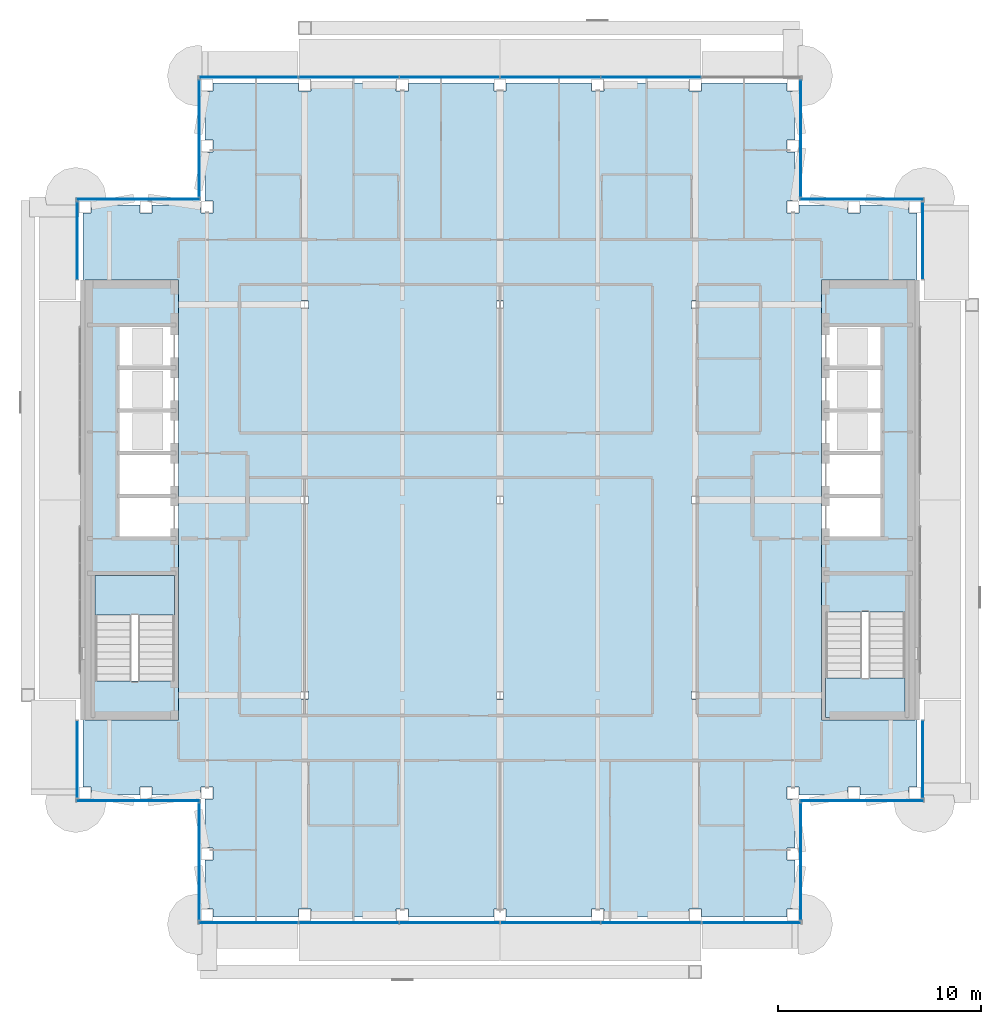
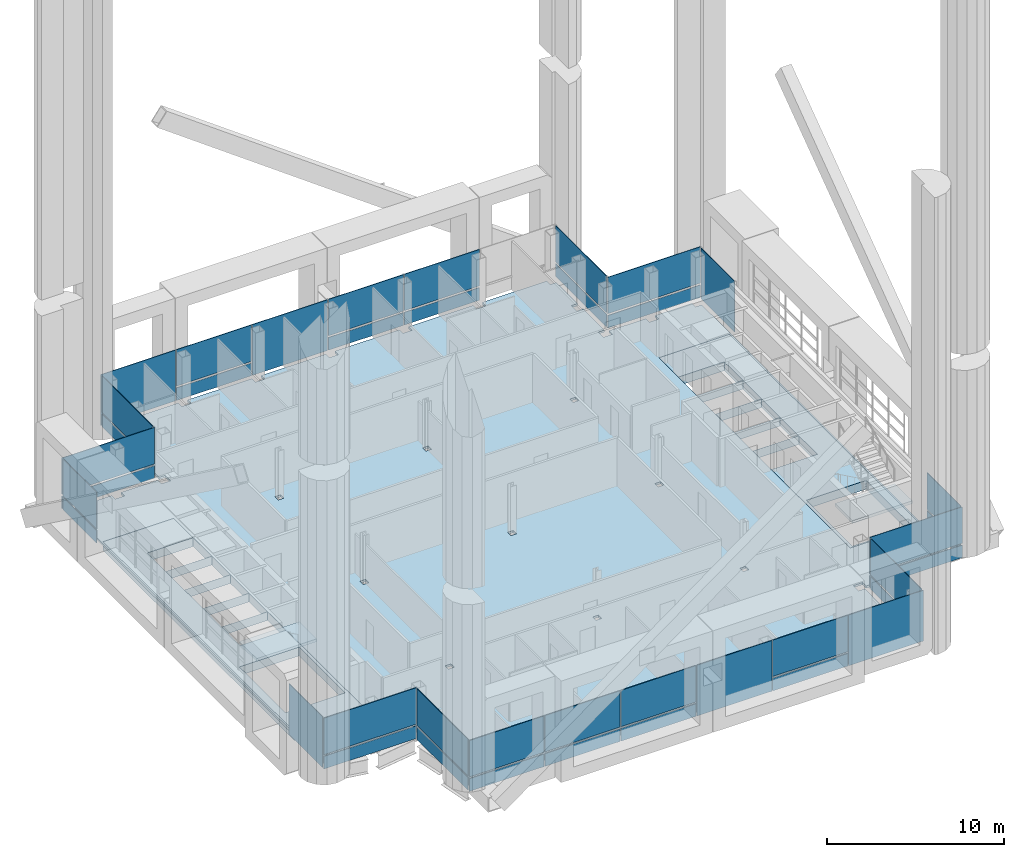
# One storey, part 12 of 29: 40 plates, 5 slabs, 16 elements without a shape of their own.
"""IFC4 building model written with IfcOpenShell, lengths in metres."""

from ifc_helpers import new_model, si_unit, direction, frame, origin, origin_2d, place, context, subcontext, project, spatial, polyline, rectangle, outline, extrude, material, layer, layer_set, type_object, element, aggregate, save


model = new_model("IFC4")

# Units and contexts
model_context = context("Model", 3, precision=1e-05, world=origin(), true_north=direction((0.0, 1.0)))
body_context = subcontext(model_context, "Body", "Model", "MODEL_VIEW")
ifc_project = project(units=[si_unit("LENGTHUNIT", "METRE"), si_unit("AREAUNIT", "SQUARE_METRE"), si_unit("VOLUMEUNIT", "CUBIC_METRE"), si_unit("PLANEANGLEUNIT", "RADIAN"), si_unit("MASSUNIT", "GRAM", prefix="KILO")], contexts=[model_context])

# Site, building, storey
site_placement = place(None, origin())
site = spatial("IfcSite", under=ifc_project, at=site_placement, CompositionType="ELEMENT")
building_placement = place(site_placement, origin())
building = spatial("IfcBuilding", under=site, at=building_placement, Name="Cobrizo Arcos Hotel Tower", CompositionType="ELEMENT")
storey_placement = place(building_placement, frame((0.0, 0.0, 241.0)))
storey = spatial("IfcBuildingStorey", under=building, at=storey_placement, Name="L63", CompositionType="ELEMENT", Elevation=241.0)

# Curtain wall, plates
ifc_material_1 = material(Name="Aluminium 6063-T6 anodised bronze", Category="aluminium")
curtain_wall_type = type_object("IfcCurtainWallType", Name="CW-A guest facade", PredefinedType="NOTDEFINED", material=ifc_material_1)
curtain_wall_1_placement = place(storey_placement, origin())
curtain_wall_1 = element("IfcCurtainWall", 1, at=curtain_wall_1_placement, inside=storey, type_object=curtain_wall_type, Name="CW-A L63 S face", PredefinedType="NOTDEFINED")
ifc_material_2 = material(Name="Glass clear laminated low-e", Category="glass")
ifc_layer_1 = layer(ifc_material_2, 0.0400390625)
ifc_layer_set_1 = layer_set([ifc_layer_1], Name="CW-A glass panel")
plate_type_1 = type_object("IfcPlateType", Name="CW-A glass panel", PredefinedType="CURTAIN_PANEL", material=ifc_layer_set_1)
plate_1_placement = place(storey_placement, frame((-12.360107421875, -20.77490234375, 0.990234375), z_axis=(0.0, 0.0, 1.0), x_axis=(1.0, 0.0, 0.0)))
plate_1 = element("IfcPlate", 2, at=plate_1_placement, type_object=plate_type_1, Name="CW-A glass panel 2012", PredefinedType="CURTAIN_PANEL", context=body_context, shape_type="SweptSolid", body=[
    extrude(rectangle(XDim=4.860107421875, YDim=0.0400390625, at=origin_2d()), origin(), (0.0, 0.0, 1.0), 2.510009765625),
])
plate_2_placement = place(storey_placement, frame((-7.425048828125, -20.77490234375, 0.990234375), z_axis=(0.0, 0.0, 1.0), x_axis=(1.0, 0.0, 0.0)))
plate_2 = element("IfcPlate", 3, at=plate_2_placement, type_object=plate_type_1, Name="CW-A glass panel 2013", PredefinedType="CURTAIN_PANEL", context=body_context, shape_type="SweptSolid", body=[
    extrude(rectangle(XDim=4.889892578125, YDim=0.0400390625, at=origin_2d()), origin(), (0.0, 0.0, 1.0), 2.510009765625),
])
plate_3_placement = place(storey_placement, frame((-2.47509765625, -20.77490234375, 0.990234375), z_axis=(0.0, 0.0, 1.0), x_axis=(1.0, 0.0, 0.0)))
plate_3 = element("IfcPlate", 4, at=plate_3_placement, type_object=plate_type_1, Name="CW-A glass panel 2014", PredefinedType="CURTAIN_PANEL", context=body_context, shape_type="SweptSolid", body=[
    extrude(rectangle(XDim=4.889892578125, YDim=0.0400390625, at=origin_2d()), origin(), (0.0, 0.0, 1.0), 2.510009765625),
])
plate_4_placement = place(storey_placement, frame((7.425048828125, -20.77490234375, 0.990234375), z_axis=(0.0, 0.0, 1.0), x_axis=(1.0, 0.0, 0.0)))
plate_4 = element("IfcPlate", 5, at=plate_4_placement, type_object=plate_type_1, Name="CW-A glass panel 2016", PredefinedType="CURTAIN_PANEL", context=body_context, shape_type="SweptSolid", body=[
    extrude(rectangle(XDim=4.889892578125, YDim=0.0400390625, at=origin_2d()), origin(), (0.0, 0.0, 1.0), 2.510009765625),
])

# Curtain wall, plate
curtain_wall_2_placement = place(storey_placement, origin())
curtain_wall_2 = element("IfcCurtainWall", 6, at=curtain_wall_2_placement, inside=storey, type_object=curtain_wall_type, Name="CW-A L63 E face", PredefinedType="NOTDEFINED")
plate_5_placement = place(storey_placement, frame((14.77490234375, -17.77490234375, 0.990234375), z_axis=(0.0, 0.0, 1.0), x_axis=(0.0, 1.0, 0.0)))
plate_5 = element("IfcPlate", 7, at=plate_5_placement, type_object=plate_type_1, Name="CW-A glass panel 2018", PredefinedType="CURTAIN_PANEL", context=body_context, shape_type="SweptSolid", body=[
    extrude(rectangle(XDim=5.72998046875, YDim=0.0400390625, at=origin_2d()), origin(), (0.0, 0.0, 1.0), 2.510009765625),
])

curtain_wall_3_placement = place(storey_placement, origin())
curtain_wall_3 = element("IfcCurtainWall", 8, at=curtain_wall_3_placement, inside=storey, type_object=curtain_wall_type, Name="CW-A L63 S face", PredefinedType="NOTDEFINED")
plate_6_placement = place(storey_placement, frame((17.77490234375, -14.77490234375, 0.990234375), z_axis=(0.0, 0.0, 1.0), x_axis=(1.0, 0.0, 0.0)))
plate_6 = element("IfcPlate", 9, at=plate_6_placement, type_object=plate_type_1, Name="CW-A glass panel 2019", PredefinedType="CURTAIN_PANEL", context=body_context, shape_type="SweptSolid", body=[
    extrude(rectangle(XDim=6.030029296875, YDim=0.0400390625, at=origin_2d()), origin(), (0.0, 0.0, 1.0), 2.510009765625),
])

curtain_wall_4_placement = place(storey_placement, origin())
curtain_wall_4 = element("IfcCurtainWall", 10, at=curtain_wall_4_placement, inside=storey, type_object=curtain_wall_type, Name="CW-A L63 E face", PredefinedType="NOTDEFINED")
plate_7_placement = place(storey_placement, frame((20.77490234375, -12.75, 0.990234375), z_axis=(0.0, 0.0, 1.0), x_axis=(0.0, 1.0, 0.0)))
plate_7 = element("IfcPlate", 11, at=plate_7_placement, type_object=plate_type_1, Name="CW-A glass panel 2020", PredefinedType="CURTAIN_PANEL", context=body_context, shape_type="SweptSolid", body=[
    extrude(rectangle(XDim=3.780029296875, YDim=0.0400390625, at=origin_2d()), origin(), (0.0, 0.0, 1.0), 2.510009765625),
])

curtain_wall_5_placement = place(storey_placement, origin())
curtain_wall_5 = element("IfcCurtainWall", 12, at=curtain_wall_5_placement, inside=storey, type_object=curtain_wall_type, Name="CW-A L63 N face", PredefinedType="NOTDEFINED")
plate_8_placement = place(storey_placement, frame((17.77490234375, 14.77490234375, 0.990234375), z_axis=(0.0, 0.0, 1.0), x_axis=(-1.0, 0.0, 0.0)))
plate_8 = element("IfcPlate", 13, at=plate_8_placement, type_object=plate_type_1, Name="CW-A glass panel 2022", PredefinedType="CURTAIN_PANEL", context=body_context, shape_type="SweptSolid", body=[
    extrude(rectangle(XDim=6.030029296875, YDim=0.0400390625, at=origin_2d()), origin(), (0.0, 0.0, 1.0), 2.510009765625),
])

curtain_wall_6_placement = place(storey_placement, origin())
curtain_wall_6 = element("IfcCurtainWall", 14, at=curtain_wall_6_placement, inside=storey, type_object=curtain_wall_type, Name="CW-A L63 E face", PredefinedType="NOTDEFINED")
plate_9_placement = place(storey_placement, frame((14.77490234375, 17.77490234375, 0.990234375), z_axis=(0.0, 0.0, 1.0), x_axis=(0.0, 1.0, 0.0)))
plate_9 = element("IfcPlate", 15, at=plate_9_placement, type_object=plate_type_1, Name="CW-A glass panel 2023", PredefinedType="CURTAIN_PANEL", context=body_context, shape_type="SweptSolid", body=[
    extrude(rectangle(XDim=5.72998046875, YDim=0.0400390625, at=origin_2d()), origin(), (0.0, 0.0, 1.0), 2.510009765625),
])

# Curtain wall, plates
curtain_wall_7_placement = place(storey_placement, origin())
curtain_wall_7 = element("IfcCurtainWall", 16, at=curtain_wall_7_placement, inside=storey, type_object=curtain_wall_type, Name="CW-A L63 N face", PredefinedType="NOTDEFINED")
plate_10_placement = place(storey_placement, frame((7.425048828125, 20.77490234375, 0.990234375), z_axis=(0.0, 0.0, 1.0), x_axis=(-1.0, 0.0, 0.0)))
plate_10 = element("IfcPlate", 17, at=plate_10_placement, type_object=plate_type_1, Name="CW-A glass panel 2025", PredefinedType="CURTAIN_PANEL", context=body_context, shape_type="SweptSolid", body=[
    extrude(rectangle(XDim=4.889892578125, YDim=0.0400390625, at=origin_2d()), origin(), (0.0, 0.0, 1.0), 2.510009765625),
])
plate_11_placement = place(storey_placement, frame((2.47509765625, 20.77490234375, 0.990234375), z_axis=(0.0, 0.0, 1.0), x_axis=(-1.0, 0.0, 0.0)))
plate_11 = element("IfcPlate", 18, at=plate_11_placement, type_object=plate_type_1, Name="CW-A glass panel 2026", PredefinedType="CURTAIN_PANEL", context=body_context, shape_type="SweptSolid", body=[
    extrude(rectangle(XDim=4.889892578125, YDim=0.0400390625, at=origin_2d()), origin(), (0.0, 0.0, 1.0), 2.510009765625),
])
plate_12_placement = place(storey_placement, frame((-7.425048828125, 20.77490234375, 0.990234375), z_axis=(0.0, 0.0, 1.0), x_axis=(-1.0, 0.0, 0.0)))
plate_12 = element("IfcPlate", 19, at=plate_12_placement, type_object=plate_type_1, Name="CW-A glass panel 2028", PredefinedType="CURTAIN_PANEL", context=body_context, shape_type="SweptSolid", body=[
    extrude(rectangle(XDim=4.889892578125, YDim=0.0400390625, at=origin_2d()), origin(), (0.0, 0.0, 1.0), 2.510009765625),
])

# Curtain wall, plate
curtain_wall_8_placement = place(storey_placement, origin())
curtain_wall_8 = element("IfcCurtainWall", 20, at=curtain_wall_8_placement, inside=storey, type_object=curtain_wall_type, Name="CW-A L63 W face", PredefinedType="NOTDEFINED")
plate_13_placement = place(storey_placement, frame((-14.77490234375, 17.77490234375, 0.990234375), z_axis=(0.0, 0.0, 1.0), x_axis=(0.0, -1.0, 0.0)))
plate_13 = element("IfcPlate", 21, at=plate_13_placement, type_object=plate_type_1, Name="CW-A glass panel 2030", PredefinedType="CURTAIN_PANEL", context=body_context, shape_type="SweptSolid", body=[
    extrude(rectangle(XDim=5.72998046875, YDim=0.0400390625, at=origin_2d()), origin(), (0.0, 0.0, 1.0), 2.510009765625),
])

curtain_wall_9_placement = place(storey_placement, origin())
curtain_wall_9 = element("IfcCurtainWall", 22, at=curtain_wall_9_placement, inside=storey, type_object=curtain_wall_type, Name="CW-A L63 N face", PredefinedType="NOTDEFINED")
plate_14_placement = place(storey_placement, frame((-17.77490234375, 14.77490234375, 0.990234375), z_axis=(0.0, 0.0, 1.0), x_axis=(-1.0, 0.0, 0.0)))
plate_14 = element("IfcPlate", 23, at=plate_14_placement, type_object=plate_type_1, Name="CW-A glass panel 2031", PredefinedType="CURTAIN_PANEL", context=body_context, shape_type="SweptSolid", body=[
    extrude(rectangle(XDim=6.030029296875, YDim=0.0400390625, at=origin_2d()), origin(), (0.0, 0.0, 1.0), 2.510009765625),
])

curtain_wall_10_placement = place(storey_placement, origin())
curtain_wall_10 = element("IfcCurtainWall", 24, at=curtain_wall_10_placement, inside=storey, type_object=curtain_wall_type, Name="CW-A L63 W face", PredefinedType="NOTDEFINED")
plate_15_placement = place(storey_placement, frame((-20.77490234375, 12.75, 0.990234375), z_axis=(0.0, 0.0, 1.0), x_axis=(0.0, -1.0, 0.0)))
plate_15 = element("IfcPlate", 25, at=plate_15_placement, type_object=plate_type_1, Name="CW-A glass panel 2032", PredefinedType="CURTAIN_PANEL", context=body_context, shape_type="SweptSolid", body=[
    extrude(rectangle(XDim=3.780029296875, YDim=0.0400390625, at=origin_2d()), origin(), (0.0, 0.0, 1.0), 2.510009765625),
])

curtain_wall_11_placement = place(storey_placement, origin())
curtain_wall_11 = element("IfcCurtainWall", 26, at=curtain_wall_11_placement, inside=storey, type_object=curtain_wall_type, Name="CW-A L63 S face", PredefinedType="NOTDEFINED")
plate_16_placement = place(storey_placement, frame((-17.77490234375, -14.77490234375, 0.990234375), z_axis=(0.0, 0.0, 1.0), x_axis=(1.0, 0.0, 0.0)))
plate_16 = element("IfcPlate", 27, at=plate_16_placement, type_object=plate_type_1, Name="CW-A glass panel 2034", PredefinedType="CURTAIN_PANEL", context=body_context, shape_type="SweptSolid", body=[
    extrude(rectangle(XDim=6.030029296875, YDim=0.0400390625, at=origin_2d()), origin(), (0.0, 0.0, 1.0), 2.510009765625),
])

curtain_wall_12_placement = place(storey_placement, origin())
curtain_wall_12 = element("IfcCurtainWall", 28, at=curtain_wall_12_placement, inside=storey, type_object=curtain_wall_type, Name="CW-A L63 W face", PredefinedType="NOTDEFINED")
plate_17_placement = place(storey_placement, frame((-14.77490234375, -17.77490234375, 0.990234375), z_axis=(0.0, 0.0, 1.0), x_axis=(0.0, -1.0, 0.0)))
plate_17 = element("IfcPlate", 29, at=plate_17_placement, type_object=plate_type_1, Name="CW-A glass panel 2035", PredefinedType="CURTAIN_PANEL", context=body_context, shape_type="SweptSolid", body=[
    extrude(rectangle(XDim=5.72998046875, YDim=0.0400390625, at=origin_2d()), origin(), (0.0, 0.0, 1.0), 2.510009765625),
])

# Plate
ifc_material_3 = material(Name="Aluminium composite panel pale metal", Category="aluminium")
ifc_layer_2 = layer(ifc_material_3, 0.0400390625)
ifc_layer_set_2 = layer_set([ifc_layer_2], Name="CW-A spandrel panel")
plate_type_2 = type_object("IfcPlateType", Name="CW-A spandrel panel", PredefinedType="CURTAIN_PANEL", material=ifc_layer_set_2)
plate_18_placement = place(storey_placement, frame((-12.360107421875, -20.77490234375, 0.0), z_axis=(0.0, 0.0, 1.0), x_axis=(1.0, 0.0, 0.0)))
plate_18 = element("IfcPlate", 30, at=plate_18_placement, type_object=plate_type_2, Name="CW-A spandrel panel 2012", PredefinedType="CURTAIN_PANEL", context=body_context, shape_type="SweptSolid", body=[
    extrude(rectangle(XDim=4.860107421875, YDim=0.0400390625, at=origin_2d()), origin(), (0.0, 0.0, 1.0), 0.8701171875),
])

plate_19_placement = place(storey_placement, frame((-7.425048828125, -20.77490234375, 0.0), z_axis=(0.0, 0.0, 1.0), x_axis=(1.0, 0.0, 0.0)))
plate_19 = element("IfcPlate", 31, at=plate_19_placement, type_object=plate_type_2, Name="CW-A spandrel panel 2013", PredefinedType="CURTAIN_PANEL", context=body_context, shape_type="SweptSolid", body=[
    extrude(rectangle(XDim=4.889892578125, YDim=0.0400390625, at=origin_2d()), origin(), (0.0, 0.0, 1.0), 0.8701171875),
])

plate_20_placement = place(storey_placement, frame((-2.47509765625, -20.77490234375, 0.0), z_axis=(0.0, 0.0, 1.0), x_axis=(1.0, 0.0, 0.0)))
plate_20 = element("IfcPlate", 32, at=plate_20_placement, type_object=plate_type_2, Name="CW-A spandrel panel 2014", PredefinedType="CURTAIN_PANEL", context=body_context, shape_type="SweptSolid", body=[
    extrude(rectangle(XDim=4.889892578125, YDim=0.0400390625, at=origin_2d()), origin(), (0.0, 0.0, 1.0), 0.8701171875),
])

plate_21_placement = place(storey_placement, frame((2.47509765625, -20.77490234375, 0.0), z_axis=(0.0, 0.0, 1.0), x_axis=(1.0, 0.0, 0.0)))
plate_21 = element("IfcPlate", 33, at=plate_21_placement, type_object=plate_type_2, Name="CW-A spandrel panel 2015", PredefinedType="CURTAIN_PANEL", context=body_context, shape_type="SweptSolid", body=[
    extrude(rectangle(XDim=4.889892578125, YDim=0.0400390625, at=origin_2d()), origin(), (0.0, 0.0, 1.0), 3.5),
])

plate_22_placement = place(storey_placement, frame((7.425048828125, -20.77490234375, 0.0), z_axis=(0.0, 0.0, 1.0), x_axis=(1.0, 0.0, 0.0)))
plate_22 = element("IfcPlate", 34, at=plate_22_placement, type_object=plate_type_2, Name="CW-A spandrel panel 2016", PredefinedType="CURTAIN_PANEL", context=body_context, shape_type="SweptSolid", body=[
    extrude(rectangle(XDim=4.889892578125, YDim=0.0400390625, at=origin_2d()), origin(), (0.0, 0.0, 1.0), 0.8701171875),
])

plate_23_placement = place(storey_placement, frame((12.360107421875, -20.77490234375, 0.0), z_axis=(0.0, 0.0, 1.0), x_axis=(1.0, 0.0, 0.0)))
plate_23 = element("IfcPlate", 35, at=plate_23_placement, type_object=plate_type_2, Name="CW-A spandrel panel 2017", PredefinedType="CURTAIN_PANEL", context=body_context, shape_type="SweptSolid", body=[
    extrude(rectangle(XDim=4.860107421875, YDim=0.0400390625, at=origin_2d()), origin(), (0.0, 0.0, 1.0), 3.5),
])

aggregate(curtain_wall_1, [plate_18, plate_1, plate_19, plate_2, plate_20, plate_3, plate_21, plate_22, plate_4, plate_23])

plate_24_placement = place(storey_placement, frame((14.77490234375, -17.77490234375, 0.0), z_axis=(0.0, 0.0, 1.0), x_axis=(0.0, 1.0, 0.0)))
plate_24 = element("IfcPlate", 36, at=plate_24_placement, type_object=plate_type_2, Name="CW-A spandrel panel 2018", PredefinedType="CURTAIN_PANEL", context=body_context, shape_type="SweptSolid", body=[
    extrude(rectangle(XDim=5.72998046875, YDim=0.0400390625, at=origin_2d()), origin(), (0.0, 0.0, 1.0), 0.8701171875),
])

aggregate(curtain_wall_2, [plate_24, plate_5])

plate_25_placement = place(storey_placement, frame((17.77490234375, -14.77490234375, 0.0), z_axis=(0.0, 0.0, 1.0), x_axis=(1.0, 0.0, 0.0)))
plate_25 = element("IfcPlate", 37, at=plate_25_placement, type_object=plate_type_2, Name="CW-A spandrel panel 2019", PredefinedType="CURTAIN_PANEL", context=body_context, shape_type="SweptSolid", body=[
    extrude(rectangle(XDim=6.030029296875, YDim=0.0400390625, at=origin_2d()), origin(), (0.0, 0.0, 1.0), 0.8701171875),
])

aggregate(curtain_wall_3, [plate_25, plate_6])

plate_26_placement = place(storey_placement, frame((20.77490234375, -12.75, 0.0), z_axis=(0.0, 0.0, 1.0), x_axis=(0.0, 1.0, 0.0)))
plate_26 = element("IfcPlate", 38, at=plate_26_placement, type_object=plate_type_2, Name="CW-A spandrel panel 2020", PredefinedType="CURTAIN_PANEL", context=body_context, shape_type="SweptSolid", body=[
    extrude(rectangle(XDim=3.780029296875, YDim=0.0400390625, at=origin_2d()), origin(), (0.0, 0.0, 1.0), 0.8701171875),
])

aggregate(curtain_wall_4, [plate_26, plate_7])

# Curtain wall, plate
curtain_wall_13_placement = place(storey_placement, origin())
curtain_wall_13 = element("IfcCurtainWall", 39, at=curtain_wall_13_placement, inside=storey, type_object=curtain_wall_type, Name="CW-A L63 E face", PredefinedType="NOTDEFINED")
plate_27_placement = place(storey_placement, frame((20.77490234375, 12.75, 0.0), z_axis=(0.0, 0.0, 1.0), x_axis=(0.0, 1.0, 0.0)))
plate_27 = element("IfcPlate", 40, at=plate_27_placement, type_object=plate_type_2, Name="CW-A spandrel panel 2021", PredefinedType="CURTAIN_PANEL", context=body_context, shape_type="SweptSolid", body=[
    extrude(rectangle(XDim=3.780029296875, YDim=0.0400390625, at=origin_2d()), origin(), (0.0, 0.0, 1.0), 3.5),
])
aggregate(curtain_wall_13, [plate_27])

# Plate
plate_28_placement = place(storey_placement, frame((17.77490234375, 14.77490234375, 0.0), z_axis=(0.0, 0.0, 1.0), x_axis=(-1.0, 0.0, 0.0)))
plate_28 = element("IfcPlate", 41, at=plate_28_placement, type_object=plate_type_2, Name="CW-A spandrel panel 2022", PredefinedType="CURTAIN_PANEL", context=body_context, shape_type="SweptSolid", body=[
    extrude(rectangle(XDim=6.030029296875, YDim=0.0400390625, at=origin_2d()), origin(), (0.0, 0.0, 1.0), 0.8701171875),
])

aggregate(curtain_wall_5, [plate_28, plate_8])

plate_29_placement = place(storey_placement, frame((14.77490234375, 17.77490234375, 0.0), z_axis=(0.0, 0.0, 1.0), x_axis=(0.0, 1.0, 0.0)))
plate_29 = element("IfcPlate", 42, at=plate_29_placement, type_object=plate_type_2, Name="CW-A spandrel panel 2023", PredefinedType="CURTAIN_PANEL", context=body_context, shape_type="SweptSolid", body=[
    extrude(rectangle(XDim=5.72998046875, YDim=0.0400390625, at=origin_2d()), origin(), (0.0, 0.0, 1.0), 0.8701171875),
])

aggregate(curtain_wall_6, [plate_29, plate_9])

plate_30_placement = place(storey_placement, frame((7.425048828125, 20.77490234375, 0.0), z_axis=(0.0, 0.0, 1.0), x_axis=(-1.0, 0.0, 0.0)))
plate_30 = element("IfcPlate", 43, at=plate_30_placement, type_object=plate_type_2, Name="CW-A spandrel panel 2025", PredefinedType="CURTAIN_PANEL", context=body_context, shape_type="SweptSolid", body=[
    extrude(rectangle(XDim=4.889892578125, YDim=0.0400390625, at=origin_2d()), origin(), (0.0, 0.0, 1.0), 0.8701171875),
])

plate_31_placement = place(storey_placement, frame((2.47509765625, 20.77490234375, 0.0), z_axis=(0.0, 0.0, 1.0), x_axis=(-1.0, 0.0, 0.0)))
plate_31 = element("IfcPlate", 44, at=plate_31_placement, type_object=plate_type_2, Name="CW-A spandrel panel 2026", PredefinedType="CURTAIN_PANEL", context=body_context, shape_type="SweptSolid", body=[
    extrude(rectangle(XDim=4.889892578125, YDim=0.0400390625, at=origin_2d()), origin(), (0.0, 0.0, 1.0), 0.8701171875),
])

plate_32_placement = place(storey_placement, frame((-2.47509765625, 20.77490234375, 0.0), z_axis=(0.0, 0.0, 1.0), x_axis=(-1.0, 0.0, 0.0)))
plate_32 = element("IfcPlate", 45, at=plate_32_placement, type_object=plate_type_2, Name="CW-A spandrel panel 2027", PredefinedType="CURTAIN_PANEL", context=body_context, shape_type="SweptSolid", body=[
    extrude(rectangle(XDim=4.889892578125, YDim=0.0400390625, at=origin_2d()), origin(), (0.0, 0.0, 1.0), 3.5),
])

plate_33_placement = place(storey_placement, frame((-7.425048828125, 20.77490234375, 0.0), z_axis=(0.0, 0.0, 1.0), x_axis=(-1.0, 0.0, 0.0)))
plate_33 = element("IfcPlate", 46, at=plate_33_placement, type_object=plate_type_2, Name="CW-A spandrel panel 2028", PredefinedType="CURTAIN_PANEL", context=body_context, shape_type="SweptSolid", body=[
    extrude(rectangle(XDim=4.889892578125, YDim=0.0400390625, at=origin_2d()), origin(), (0.0, 0.0, 1.0), 0.8701171875),
])

plate_34_placement = place(storey_placement, frame((-12.360107421875, 20.77490234375, 0.0), z_axis=(0.0, 0.0, 1.0), x_axis=(-1.0, 0.0, 0.0)))
plate_34 = element("IfcPlate", 47, at=plate_34_placement, type_object=plate_type_2, Name="CW-A spandrel panel 2029", PredefinedType="CURTAIN_PANEL", context=body_context, shape_type="SweptSolid", body=[
    extrude(rectangle(XDim=4.860107421875, YDim=0.0400390625, at=origin_2d()), origin(), (0.0, 0.0, 1.0), 3.5),
])

aggregate(curtain_wall_7, [plate_30, plate_10, plate_31, plate_11, plate_32, plate_33, plate_12, plate_34])

plate_35_placement = place(storey_placement, frame((-14.77490234375, 17.77490234375, 0.0), z_axis=(0.0, 0.0, 1.0), x_axis=(0.0, -1.0, 0.0)))
plate_35 = element("IfcPlate", 48, at=plate_35_placement, type_object=plate_type_2, Name="CW-A spandrel panel 2030", PredefinedType="CURTAIN_PANEL", context=body_context, shape_type="SweptSolid", body=[
    extrude(rectangle(XDim=5.72998046875, YDim=0.0400390625, at=origin_2d()), origin(), (0.0, 0.0, 1.0), 0.8701171875),
])

aggregate(curtain_wall_8, [plate_35, plate_13])

plate_36_placement = place(storey_placement, frame((-17.77490234375, 14.77490234375, 0.0), z_axis=(0.0, 0.0, 1.0), x_axis=(-1.0, 0.0, 0.0)))
plate_36 = element("IfcPlate", 49, at=plate_36_placement, type_object=plate_type_2, Name="CW-A spandrel panel 2031", PredefinedType="CURTAIN_PANEL", context=body_context, shape_type="SweptSolid", body=[
    extrude(rectangle(XDim=6.030029296875, YDim=0.0400390625, at=origin_2d()), origin(), (0.0, 0.0, 1.0), 0.8701171875),
])

aggregate(curtain_wall_9, [plate_36, plate_14])

plate_37_placement = place(storey_placement, frame((-20.77490234375, 12.75, 0.0), z_axis=(0.0, 0.0, 1.0), x_axis=(0.0, -1.0, 0.0)))
plate_37 = element("IfcPlate", 50, at=plate_37_placement, type_object=plate_type_2, Name="CW-A spandrel panel 2032", PredefinedType="CURTAIN_PANEL", context=body_context, shape_type="SweptSolid", body=[
    extrude(rectangle(XDim=3.780029296875, YDim=0.0400390625, at=origin_2d()), origin(), (0.0, 0.0, 1.0), 0.8701171875),
])

aggregate(curtain_wall_10, [plate_37, plate_15])

# Curtain wall, plate
curtain_wall_14_placement = place(storey_placement, origin())
curtain_wall_14 = element("IfcCurtainWall", 51, at=curtain_wall_14_placement, inside=storey, type_object=curtain_wall_type, Name="CW-A L63 W face", PredefinedType="NOTDEFINED")
plate_38_placement = place(storey_placement, frame((-20.77490234375, -12.75, 0.0), z_axis=(0.0, 0.0, 1.0), x_axis=(0.0, -1.0, 0.0)))
plate_38 = element("IfcPlate", 52, at=plate_38_placement, type_object=plate_type_2, Name="CW-A spandrel panel 2033", PredefinedType="CURTAIN_PANEL", context=body_context, shape_type="SweptSolid", body=[
    extrude(rectangle(XDim=3.780029296875, YDim=0.0400390625, at=origin_2d()), origin(), (0.0, 0.0, 1.0), 3.5),
])
aggregate(curtain_wall_14, [plate_38])

# Plate
plate_39_placement = place(storey_placement, frame((-17.77490234375, -14.77490234375, 0.0), z_axis=(0.0, 0.0, 1.0), x_axis=(1.0, 0.0, 0.0)))
plate_39 = element("IfcPlate", 53, at=plate_39_placement, type_object=plate_type_2, Name="CW-A spandrel panel 2034", PredefinedType="CURTAIN_PANEL", context=body_context, shape_type="SweptSolid", body=[
    extrude(rectangle(XDim=6.030029296875, YDim=0.0400390625, at=origin_2d()), origin(), (0.0, 0.0, 1.0), 0.8701171875),
])

aggregate(curtain_wall_11, [plate_39, plate_16])

plate_40_placement = place(storey_placement, frame((-14.77490234375, -17.77490234375, 0.0), z_axis=(0.0, 0.0, 1.0), x_axis=(0.0, -1.0, 0.0)))
plate_40 = element("IfcPlate", 54, at=plate_40_placement, type_object=plate_type_2, Name="CW-A spandrel panel 2035", PredefinedType="CURTAIN_PANEL", context=body_context, shape_type="SweptSolid", body=[
    extrude(rectangle(XDim=5.72998046875, YDim=0.0400390625, at=origin_2d()), origin(), (0.0, 0.0, 1.0), 0.8701171875),
])

aggregate(curtain_wall_12, [plate_40, plate_17])

# Slabs
ifc_material_4 = material(Name="Concrete f'c 35 MPa", Category="concrete")
ifc_layer_3 = layer(ifc_material_4, 0.14990234375)
ifc_layer_set_3 = layer_set([ifc_layer_3], Name="Composite floor slab 150 f'c 35")
slab_type_1 = type_object("IfcSlabType", Name="Composite floor slab 150 f'c 35", PredefinedType="FLOOR", material=ifc_layer_set_3)
slab_1_placement = place(storey_placement, frame((0.0, 0.0, -0.14990234375)))
element("IfcSlab", 55, at=slab_1_placement, inside=storey, type_object=slab_type_1, Name="Floor slab S5, L63, no. 01", PredefinedType="FLOOR", context=body_context, shape_type="SweptSolid", body=[
    extrude(outline(polyline([(-20.5, 14.10009765625), (-20.10009765625, 14.10009765625), (-20.10009765625, 14.5), (-17.699951171875, 14.5), (-17.699951171875, 14.10009765625), (-17.10009765625, 14.10009765625), (-17.10009765625, 14.5), (-14.699951171875, 14.5), (-14.699951171875, 14.10009765625), (-14.10009765625, 14.10009765625), (-14.10009765625, 14.699951171875), (-14.5, 14.699951171875), (-14.5, 17.10009765625), (-14.10009765625, 17.10009765625), (-14.10009765625, 17.699951171875), (-14.5, 17.699951171875), (-14.5, 20.10009765625), (-14.10009765625, 20.10009765625), (-14.10009765625, 20.5), (-9.89990234375, 20.5), (-9.89990234375, 20.10009765625), (-9.300048828125, 20.10009765625), (-9.300048828125, 20.5), (-5.10009765625, 20.5), (-5.10009765625, 20.10009765625), (-4.5, 20.10009765625), (-4.5, 20.5), (-0.300048828125, 20.5), (-0.300048828125, 20.10009765625), (0.300048828125, 20.10009765625), (0.300048828125, 20.5), (4.5, 20.5), (4.5, 20.10009765625), (5.10009765625, 20.10009765625), (5.10009765625, 20.5), (9.300048828125, 20.5), (9.300048828125, 20.10009765625), (9.89990234375, 20.10009765625), (9.89990234375, 20.5), (14.10009765625, 20.5), (14.10009765625, 20.10009765625), (14.5, 20.10009765625), (14.5, 17.699951171875), (14.10009765625, 17.699951171875), (14.10009765625, 17.10009765625), (14.5, 17.10009765625), (14.5, 14.699951171875), (14.10009765625, 14.699951171875), (14.10009765625, 14.10009765625), (14.699951171875, 14.10009765625), (14.699951171875, 14.5), (17.10009765625, 14.5), (17.10009765625, 14.10009765625), (17.699951171875, 14.10009765625), (17.699951171875, 14.5), (20.10009765625, 14.5), (20.10009765625, 14.10009765625), (20.5, 14.10009765625), (20.5, -14.10009765625), (20.10009765625, -14.10009765625), (20.10009765625, -14.5), (17.699951171875, -14.5), (17.699951171875, -14.10009765625), (17.10009765625, -14.10009765625), (17.10009765625, -14.5), (14.699951171875, -14.5), (14.699951171875, -14.10009765625), (14.10009765625, -14.10009765625), (14.10009765625, -14.699951171875), (14.5, -14.699951171875), (14.5, -17.10009765625), (14.10009765625, -17.10009765625), (14.10009765625, -17.699951171875), (14.5, -17.699951171875), (14.5, -20.10009765625), (14.10009765625, -20.10009765625), (14.10009765625, -20.5), (9.89990234375, -20.5), (9.89990234375, -20.10009765625), (9.300048828125, -20.10009765625), (9.300048828125, -20.5), (5.10009765625, -20.5), (5.10009765625, -20.10009765625), (4.5, -20.10009765625), (4.5, -20.5), (0.300048828125, -20.5), (0.300048828125, -20.10009765625), (-0.300048828125, -20.10009765625), (-0.300048828125, -20.5), (-4.5, -20.5), (-4.5, -20.10009765625), (-5.10009765625, -20.10009765625), (-5.10009765625, -20.5), (-9.300048828125, -20.5), (-9.300048828125, -20.10009765625), (-9.89990234375, -20.10009765625), (-9.89990234375, -20.5), (-14.10009765625, -20.5), (-14.10009765625, -20.10009765625), (-14.5, -20.10009765625), (-14.5, -17.699951171875), (-14.10009765625, -17.699951171875), (-14.10009765625, -17.10009765625), (-14.5, -17.10009765625), (-14.5, -14.699951171875), (-14.10009765625, -14.699951171875), (-14.10009765625, -14.10009765625), (-14.699951171875, -14.10009765625), (-14.699951171875, -14.5), (-17.10009765625, -14.5), (-17.10009765625, -14.10009765625), (-17.699951171875, -14.10009765625), (-17.699951171875, -14.5), (-20.10009765625, -14.5), (-20.10009765625, -14.10009765625), (-20.5, -14.10009765625), (-20.5, 14.10009765625)]), holes=[polyline([(-9.415771484375, -9.7841796875), (-9.415771484375, -9.415771484375), (-9.7841796875, -9.415771484375), (-9.7841796875, -9.7841796875), (-9.415771484375, -9.7841796875)]), polyline([(-15.800048828125, -10.800048828125), (-15.800048828125, 10.800048828125), (-20.39990234375, 10.800048828125), (-20.39990234375, -10.800048828125), (-15.800048828125, -10.800048828125)]), polyline([(-9.415771484375, -0.18408203125), (-9.415771484375, 0.18408203125), (-9.7841796875, 0.18408203125), (-9.7841796875, -0.18408203125), (-9.415771484375, -0.18408203125)]), polyline([(-9.7841796875, 9.415771484375), (-9.415771484375, 9.415771484375), (-9.415771484375, 9.7841796875), (-9.7841796875, 9.7841796875), (-9.7841796875, 9.415771484375)]), polyline([(-0.18408203125, -9.7841796875), (0.18408203125, -9.7841796875), (0.18408203125, -9.415771484375), (-0.18408203125, -9.415771484375), (-0.18408203125, -9.7841796875)]), polyline([(9.415771484375, -9.7841796875), (9.7841796875, -9.7841796875), (9.7841796875, -9.415771484375), (9.415771484375, -9.415771484375), (9.415771484375, -9.7841796875)]), polyline([(0.18408203125, -0.18408203125), (0.18408203125, 0.18408203125), (-0.18408203125, 0.18408203125), (-0.18408203125, -0.18408203125), (0.18408203125, -0.18408203125)]), polyline([(9.7841796875, -0.18408203125), (9.7841796875, 0.18408203125), (9.415771484375, 0.18408203125), (9.415771484375, -0.18408203125), (9.7841796875, -0.18408203125)]), polyline([(0.18408203125, 9.415771484375), (0.18408203125, 9.7841796875), (-0.18408203125, 9.7841796875), (-0.18408203125, 9.415771484375), (0.18408203125, 9.415771484375)]), polyline([(9.415771484375, 9.415771484375), (9.7841796875, 9.415771484375), (9.7841796875, 9.7841796875), (9.415771484375, 9.7841796875), (9.415771484375, 9.415771484375)]), polyline([(15.800048828125, -10.800048828125), (20.39990234375, -10.800048828125), (20.39990234375, 10.800048828125), (15.800048828125, 10.800048828125), (15.800048828125, -10.800048828125)])]), origin(), (0.0, 0.0, 1.0), 0.14990234375),
])
ifc_material_5 = material(Name="Concrete f'c 40 MPa", Category="concrete")
ifc_layer_4 = layer(ifc_material_5, 0.60009765625)
ifc_layer_set_4 = layer_set([ifc_layer_4], Name="RC core floor slab 600 f'c 40")
slab_type_2 = type_object("IfcSlabType", Name="RC core floor slab 600 f'c 40", PredefinedType="FLOOR", material=ifc_layer_set_4)
slab_2_placement = place(storey_placement, frame((0.0, 0.0, -0.60009765625)))
element("IfcSlab", 56, at=slab_2_placement, inside=storey, type_object=slab_type_2, Name="Core floor slab CS6, east core, L63", PredefinedType="FLOOR", context=body_context, shape_type="SweptSolid", body=[
    extrude(outline(polyline([(15.800048828125, 10.800048828125), (20.39990234375, 10.800048828125), (20.39990234375, -10.800048828125), (15.800048828125, -10.800048828125), (15.800048828125, 10.800048828125)]), holes=[polyline([(19.89794921875, -10.697998046875), (19.89794921875, -5.501953125), (16.001953125, -5.501953125), (16.001953125, -10.697998046875), (19.89794921875, -10.697998046875)]), polyline([(15.802001953125, 0.197998046875), (15.802001953125, -1.89794921875), (18.798095703125, -1.89794921875), (18.798095703125, 0.197998046875), (15.802001953125, 0.197998046875)]), polyline([(15.802001953125, 2.298095703125), (15.802001953125, 0.201904296875), (18.798095703125, 0.201904296875), (18.798095703125, 2.298095703125), (15.802001953125, 2.298095703125)]), polyline([(15.802001953125, 4.39794921875), (15.802001953125, 2.302001953125), (18.798095703125, 2.302001953125), (18.798095703125, 4.39794921875), (15.802001953125, 4.39794921875)]), polyline([(18.798095703125, 6.498046875), (15.802001953125, 6.498046875), (15.802001953125, 4.402099609375), (18.798095703125, 4.402099609375), (18.798095703125, 6.498046875)]), polyline([(18.798095703125, 8.597900390625), (15.802001953125, 8.597900390625), (15.802001953125, 6.501953125), (18.798095703125, 6.501953125), (18.798095703125, 8.597900390625)])]), origin(), (0.0, 0.0, 1.0), 0.60009765625),
])
slab_3_placement = place(storey_placement, frame((0.0, 0.0, -0.60009765625)))
element("IfcSlab", 57, at=slab_3_placement, inside=storey, type_object=slab_type_2, Name="Core floor slab CS6, west core, L63", PredefinedType="FLOOR", context=body_context, shape_type="SweptSolid", body=[
    extrude(outline(polyline([(-20.39990234375, 10.800048828125), (-15.800048828125, 10.800048828125), (-15.800048828125, -10.800048828125), (-20.39990234375, -10.800048828125), (-20.39990234375, 10.800048828125)]), holes=[polyline([(-19.89794921875, -3.701904296875), (-19.89794921875, -8.89794921875), (-16.001953125, -8.89794921875), (-16.001953125, -3.701904296875), (-19.89794921875, -3.701904296875)]), polyline([(-18.798095703125, 0.197998046875), (-18.798095703125, -1.89794921875), (-15.802001953125, -1.89794921875), (-15.802001953125, 0.197998046875), (-18.798095703125, 0.197998046875)]), polyline([(-18.798095703125, 2.298095703125), (-18.798095703125, 0.201904296875), (-15.802001953125, 0.201904296875), (-15.802001953125, 2.298095703125), (-18.798095703125, 2.298095703125)]), polyline([(-18.798095703125, 4.39794921875), (-18.798095703125, 2.302001953125), (-15.802001953125, 2.302001953125), (-15.802001953125, 4.39794921875), (-18.798095703125, 4.39794921875)]), polyline([(-15.802001953125, 6.498046875), (-18.798095703125, 6.498046875), (-18.798095703125, 4.402099609375), (-15.802001953125, 4.402099609375), (-15.802001953125, 6.498046875)]), polyline([(-15.802001953125, 8.597900390625), (-18.798095703125, 8.597900390625), (-18.798095703125, 6.501953125), (-15.802001953125, 6.501953125), (-15.802001953125, 8.597900390625)])]), origin(), (0.0, 0.0, 1.0), 0.60009765625),
])

# Stair, slab
stair_type = type_object("IfcStairType", Name="Exit stair", PredefinedType="HALF_TURN_STAIR", material=ifc_material_5)
stair_1_placement = place(storey_placement, origin())
stair_1 = element("IfcStair", 58, at=stair_1_placement, inside=storey, type_object=stair_type, Name="L63 Exit stair ST-W", PredefinedType="HALF_TURN_STAIR")
ifc_layer_5 = layer(ifc_material_5, 0.199951171875)
ifc_layer_set_5 = layer_set([ifc_layer_5], Name="Stair landing")
slab_type_3 = type_object("IfcSlabType", Name="Stair landing", PredefinedType="LANDING", material=ifc_layer_set_5)
slab_4_placement = place(storey_placement, frame((0.0, 0.0, 1.550048828125)))
slab_4 = element("IfcSlab", 59, at=slab_4_placement, type_object=slab_type_3, Name="ST-W landing 1", PredefinedType="LANDING", context=body_context, shape_type="SweptSolid", body=[
    extrude(outline(polyline([(-16.0, -5.659912109375), (-16.0, -3.699951171875), (-19.89990234375, -3.699951171875), (-19.89990234375, -5.659912109375), (-16.0, -5.659912109375)])), origin(), (0.0, 0.0, 1.0), 0.199951171875),
])
aggregate(stair_1, [slab_4])

stair_2_placement = place(storey_placement, origin())
stair_2 = element("IfcStair", 60, at=stair_2_placement, inside=storey, type_object=stair_type, Name="L63 Exit stair ST-E", PredefinedType="HALF_TURN_STAIR")
slab_5_placement = place(storey_placement, frame((0.0, 0.0, 1.550048828125)))
slab_5 = element("IfcSlab", 61, at=slab_5_placement, type_object=slab_type_3, Name="ST-E landing 1", PredefinedType="LANDING", context=body_context, shape_type="SweptSolid", body=[
    extrude(outline(polyline([(16.0, -8.739990234375), (16.0, -10.699951171875), (19.89990234375, -10.699951171875), (19.89990234375, -8.739990234375), (16.0, -8.739990234375)])), origin(), (0.0, 0.0, 1.0), 0.199951171875),
])
aggregate(stair_2, [slab_5])

save(model, "model.ifc")
